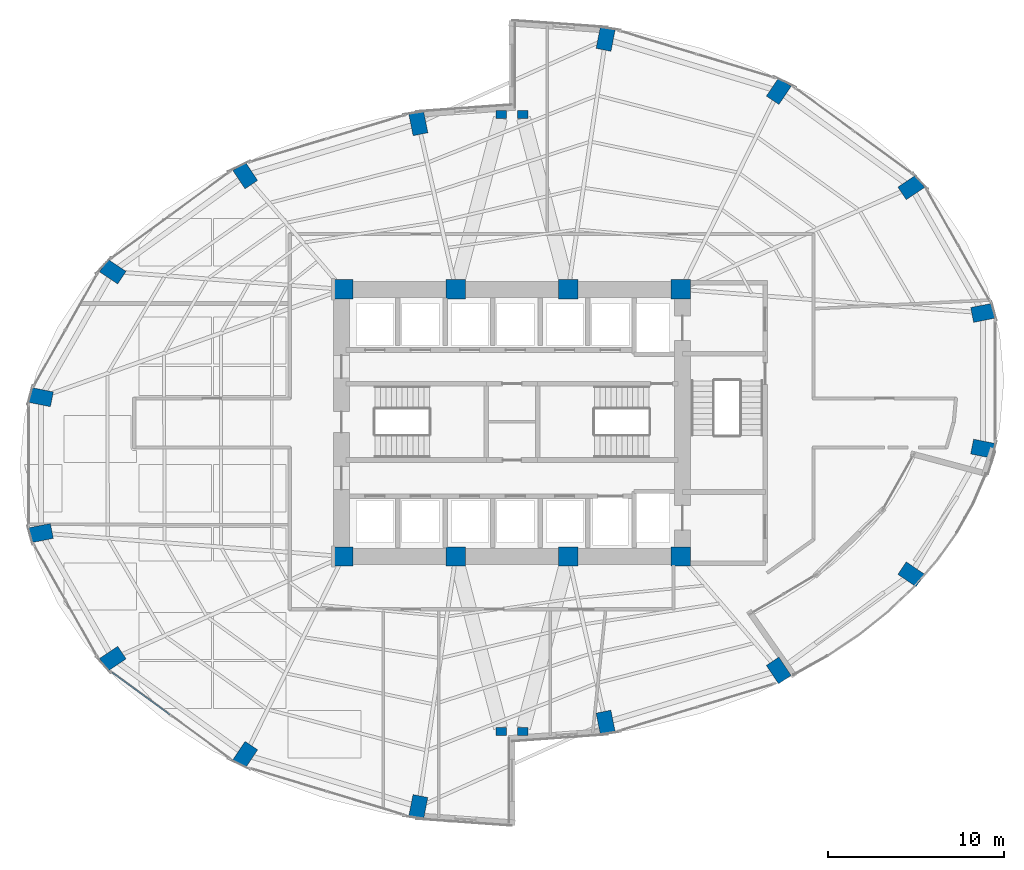
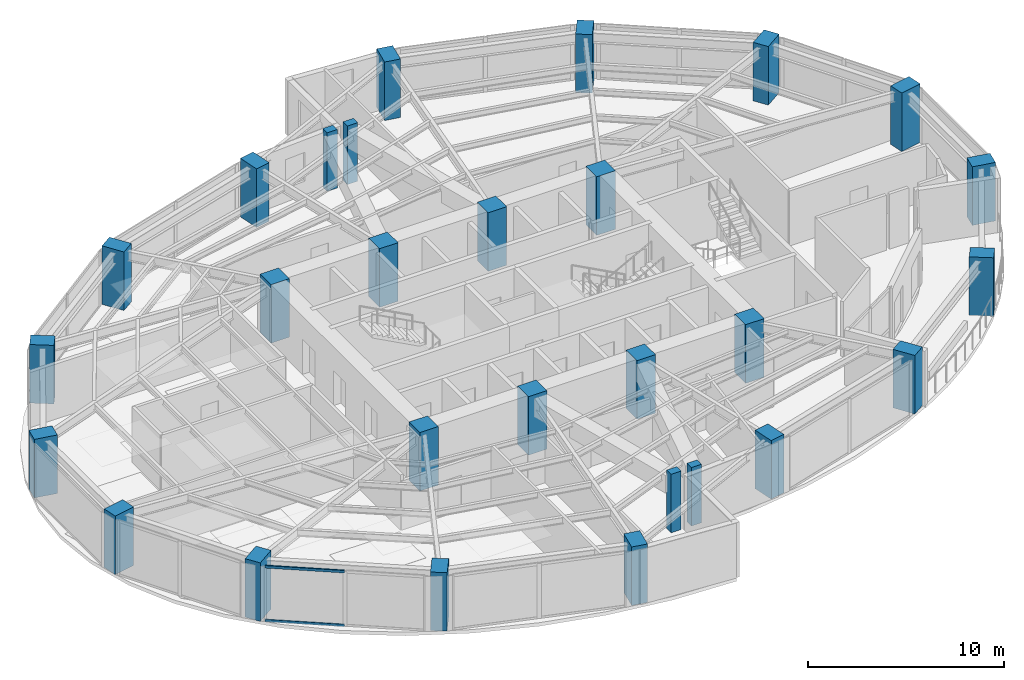
# One storey, part 1 of 24: 28 columns, 2 members, 1 element without a shape of its own.
"""IFC4 building model written with IfcOpenShell, lengths in metres."""

from ifc_helpers import new_model, si_unit, direction, frame, origin, origin_2d, place, context, subcontext, project, spatial, rectangle, hollow_rectangle, extrude, material, layer, layer_set, material_profile, profile_set, type_object, element, aggregate, save


model = new_model("IFC4")

# Units and contexts
model_context = context("Model", 3, precision=1e-05, world=origin(), true_north=direction((0.0, 1.0)))
body_context = subcontext(model_context, "Body", "Model", "MODEL_VIEW")
ifc_project = project(units=[si_unit("LENGTHUNIT", "METRE"), si_unit("AREAUNIT", "SQUARE_METRE"), si_unit("VOLUMEUNIT", "CUBIC_METRE"), si_unit("PLANEANGLEUNIT", "RADIAN"), si_unit("MASSUNIT", "GRAM", prefix="KILO")], contexts=[model_context])

# Site, building, storey
site_placement = place(None, origin())
site = spatial("IfcSite", under=ifc_project, at=site_placement, CompositionType="ELEMENT")
building_placement = place(site_placement, origin())
building = spatial("IfcBuilding", under=site, at=building_placement, Name="Lazwardi Medical Tower", CompositionType="ELEMENT")
storey_placement = place(building_placement, frame((0.0, 0.0, 58.031982421875)))
storey = spatial("IfcBuildingStorey", under=building, at=storey_placement, Name="L14", CompositionType="ELEMENT", Elevation=58.031982421875)

# Columns
ifc_material_1 = material(Name="Concrete C80/95", Category="concrete")
ifc_material_profile_1 = material_profile(ifc_material_1, rectangle(XDim=1.10009765625, YDim=1.10009765625, at=origin_2d()), Name="RC 1100x1100")
ifc_profile_set_1 = profile_set([ifc_material_profile_1], Name="Concrete C80/95")
column_type_1 = type_object("IfcColumnType", Name="COL-CC-L", PredefinedType="COLUMN", material=ifc_profile_set_1)
for number, where, z_axis, x_axis, name in (
    (1, (26.39990234375, 20.39990234375, 0.0), (0.0, 0.0, 1.0), (1.0, 0.0, 0.0), "Core column CC-01 CC1 L14"),
    (2, (32.800048828125, 20.39990234375, 0.0), (0.0, 0.0, 1.0), (1.0, 0.0, 0.0), "Core column CC-01 CC2 L14"),
    (3, (39.199951171875, 20.39990234375, 0.0), (0.0, 0.0, 1.0), (1.0, 0.0, 0.0), "Core column CC-01 CC3 L14"),
    (4, (45.60009765625, 20.39990234375, 0.0), (0.0, 0.0, 1.0), (1.0, 0.0, 0.0), "Core column CC-01 CC4 L14"),
    (5, (45.60009765625, 35.60009765625, 0.0), (0.0, 0.0, 1.0), (1.0, 0.0, 0.0), "Core column CC-01 CC5 L14"),
    (6, (39.199951171875, 35.60009765625, 0.0), (0.0, 0.0, 1.0), (1.0, 0.0, 0.0), "Core column CC-01 CC6 L14"),
    (7, (32.800048828125, 35.60009765625, 0.0), (0.0, 0.0, 1.0), (1.0, 0.0, 0.0), "Core column CC-01 CC7 L14"),
    (8, (26.39990234375, 35.60009765625, 0.0), (0.0, 0.0, 1.0), (1.0, 0.0, 0.0), "Core column CC-01 CC8 L14"),
):
    element("IfcColumn", number, at=place(storey_placement, frame(where, z_axis=z_axis, x_axis=x_axis)), inside=storey, type_object=column_type_1, Name=name, PredefinedType="COLUMN", context=body_context, shape_type="SweptSolid", body=[
        extrude(rectangle(XDim=1.10009765625, YDim=1.10009765625, at=origin_2d()), origin(), (0.0, 0.0, 1.0), 3.64794921875),
    ])
ifc_material_2 = material(Name="Concrete C70/85", Category="concrete")
ifc_material_profile_2 = material_profile(ifc_material_2, rectangle(XDim=1.25, YDim=0.860107421875, at=origin_2d()), Name="CFT-RECT 1250x860")
ifc_profile_set_2 = profile_set([ifc_material_profile_2], Name="Concrete C70/85")
column_type_2 = type_object("IfcColumnType", Name="COL-MC-Z1", PredefinedType="COLUMN", material=ifc_profile_set_2)
for number, where, z_axis, x_axis, name in (
    (9, (41.330810546875, 10.955810546875, 0.0), (0.0, 0.0, 1.0), (0.195090322016, -0.980785280403, 0.0), "Mega column MC-03 M01 L14"),
    (10, (51.180908203125, 13.916015625, 0.0), (0.0, 0.0, 1.0), (0.55557023302, -0.831469612303, 0.0), "Mega column MC-03 M02 L14"),
    (11, (58.719970703125, 19.3857421875, 0.0), (0.0, 0.0, 1.0), (0.831469612303, -0.55557023302, 0.0), "Mega column MC-03 M03 L14"),
    (12, (62.800048828125, 26.5322265625, 0.0), (0.0, 0.0, 1.0), (0.980785280403, -0.195090322016, 0.0), "Mega column MC-03 M04 L14"),
    (13, (62.800048828125, 34.267578125, 0.0), (0.0, 0.0, 1.0), (0.980785280403, 0.195090322016, 0.0), "Mega column MC-03 M05 L14"),
    (14, (58.719970703125, 41.414306640625, 0.0), (0.0, 0.0, 1.0), (0.831469612303, 0.55557023302, 0.0), "Mega column MC-03 M06 L14"),
    (15, (51.180908203125, 46.8837890625, 0.0), (0.0, 0.0, 1.0), (0.55557023302, 0.831469612303, 0.0), "Mega column MC-03 M07 L14"),
    (16, (41.330810546875, 49.843994140625, 0.0), (0.0, 0.0, 1.0), (0.195090322016, 0.980785280403, 0.0), "Mega column MC-03 M08 L14"),
    (17, (30.669189453125, 45.044189453125, 0.0), (0.0, 0.0, 1.0), (-0.195090322016, 0.980785280403, 0.0), "Mega column MC-03 M09 L14"),
    (18, (20.819091796875, 42.083984375, 0.0), (0.0, 0.0, 1.0), (-0.55557023302, 0.831469612303, 0.0), "Mega column MC-03 M10 L14"),
    (19, (13.280029296875, 36.6142578125, 0.0), (0.0, 0.0, 1.0), (-0.831469612303, 0.55557023302, 0.0), "Mega column MC-03 M11 L14"),
    (20, (9.199951171875, 29.4677734375, 0.0), (0.0, 0.0, 1.0), (-0.980785280403, 0.195090322016, 0.0), "Mega column MC-03 M12 L14"),
    (21, (9.199951171875, 21.732421875, 0.0), (0.0, 0.0, 1.0), (-0.980785280403, -0.195090322016, 0.0), "Mega column MC-03 M13 L14"),
    (22, (13.280029296875, 14.585693359375, 0.0), (0.0, 0.0, 1.0), (-0.831469612303, -0.55557023302, 0.0), "Mega column MC-03 M14 L14"),
    (23, (20.819091796875, 9.1162109375, 0.0), (0.0, 0.0, 1.0), (-0.55557023302, -0.831469612303, 0.0), "Mega column MC-03 M15 L14"),
    (24, (30.669189453125, 6.156005859375, 0.0), (0.0, 0.0, 1.0), (-0.195090322016, -0.980785280403, 0.0), "Mega column MC-03 M16 L14"),
):
    element("IfcColumn", number, at=place(storey_placement, frame(where, z_axis=z_axis, x_axis=x_axis)), inside=storey, type_object=column_type_2, Name=name, PredefinedType="COLUMN", context=body_context, shape_type="SweptSolid", body=[
        extrude(rectangle(XDim=1.25, YDim=0.860107421875, at=origin_2d()), origin(), (0.0, 0.0, 1.0), 3.64794921875),
    ])
ifc_material_3 = material(Name="Concrete C60/75", Category="concrete")
ifc_material_profile_3 = material_profile(ifc_material_3, rectangle(XDim=0.60009765625, YDim=0.449951171875, at=origin_2d()), Name="RC 600x450")
ifc_profile_set_3 = profile_set([ifc_material_profile_3], Name="Concrete C60/75")
column_type_3 = type_object("IfcColumnType", Name="COL-PL-IW", PredefinedType="PILASTER", material=ifc_profile_set_3)
for number, where, z_axis, x_axis, name in (
    (25, (35.39990234375, 45.550048828125, 0.0), (0.0, 0.0, 1.0), (1.0, 0.0, 0.0), "Iwan pilaster column PL-C1 PL1 L14"),
    (26, (36.60009765625, 45.550048828125, 0.0), (0.0, 0.0, 1.0), (1.0, 0.0, 0.0), "Iwan pilaster column PL-C1 PL2 L14"),
    (27, (35.39990234375, 10.449951171875, 0.0), (0.0, 0.0, 1.0), (1.0, 0.0, 0.0), "Iwan pilaster column PL-C1 PL3 L14"),
    (28, (36.60009765625, 10.449951171875, 0.0), (0.0, 0.0, 1.0), (1.0, 0.0, 0.0), "Iwan pilaster column PL-C1 PL4 L14"),
):
    element("IfcColumn", number, at=place(storey_placement, frame(where, z_axis=z_axis, x_axis=x_axis)), inside=storey, type_object=column_type_3, Name=name, PredefinedType="PILASTER", context=body_context, shape_type="SweptSolid", body=[
        extrude(rectangle(XDim=0.60009765625, YDim=0.449951171875, at=origin_2d()), origin(), (0.0, 0.0, 1.0), 3.64794921875),
    ])

# Curtain wall, members
ifc_material_4 = material(Name="Anodised bronze aluminium and solar control glazing", Category="aluminium")
ifc_layer = layer(ifc_material_4, 0.199951171875)
ifc_layer_set = layer_set([ifc_layer], Name="Anodised bronze aluminium and solar control glazing")
curtain_wall_type = type_object("IfcCurtainWallType", Name="CW-SYS-02", PredefinedType="NOTDEFINED", material=ifc_layer_set)
curtain_wall_placement = place(storey_placement, origin())
curtain_wall = element("IfcCurtainWall", 29, at=curtain_wall_placement, inside=storey, type_object=curtain_wall_type, Name="L14 Unitised bronze curtain wall CW-02", PredefinedType="NOTDEFINED")
ifc_material_5 = material(Name="Anodised bronze aluminium", Category="aluminium")
ifc_material_profile_4 = material_profile(ifc_material_5, hollow_rectangle(XDim=0.074951171875, YDim=0.159912109375, WallThickness=0.00390625, at=origin_2d()), Name="ALU-TRANSOM 160x75x4")
ifc_profile_set_4 = profile_set([ifc_material_profile_4], Name="Anodised bronze aluminium")
member_type = type_object("IfcMemberType", Name="CW-TRN-01", PredefinedType="USERDEFINED", material=ifc_profile_set_4)
member_1_placement = place(storey_placement, frame((13.239990234375, 13.805419921875, 0.03759765625), z_axis=(0.807189956199, -0.590291770748, 0.0), x_axis=(0.590291770748, 0.807189956199, 0.0)))
member_1 = element("IfcMember", 30, at=member_1_placement, type_object=member_type, Name="CW-02 transom 1.1", ObjectType="TRANSOM", PredefinedType="USERDEFINED", context=body_context, shape_type="SweptSolid", body=[
    extrude(hollow_rectangle(XDim=0.074951171875, YDim=0.159912109375, WallThickness=0.00390625, at=origin_2d()), origin(), (0.0, 0.0, 1.0), 4.070068359375),
])
member_2_placement = place(storey_placement, frame((13.239990234375, 13.805419921875, 3.390625), z_axis=(0.807189956199, -0.590291770748, 0.0), x_axis=(0.590291770748, 0.807189956199, 0.0)))
member_2 = element("IfcMember", 31, at=member_2_placement, type_object=member_type, Name="CW-02 transom 1.2", ObjectType="TRANSOM", PredefinedType="USERDEFINED", context=body_context, shape_type="SweptSolid", body=[
    extrude(hollow_rectangle(XDim=0.074951171875, YDim=0.159912109375, WallThickness=0.00390625, at=origin_2d()), origin(), (0.0, 0.0, 1.0), 4.070068359375),
])
aggregate(curtain_wall, [member_1, member_2])

save(model, "model.ifc")
